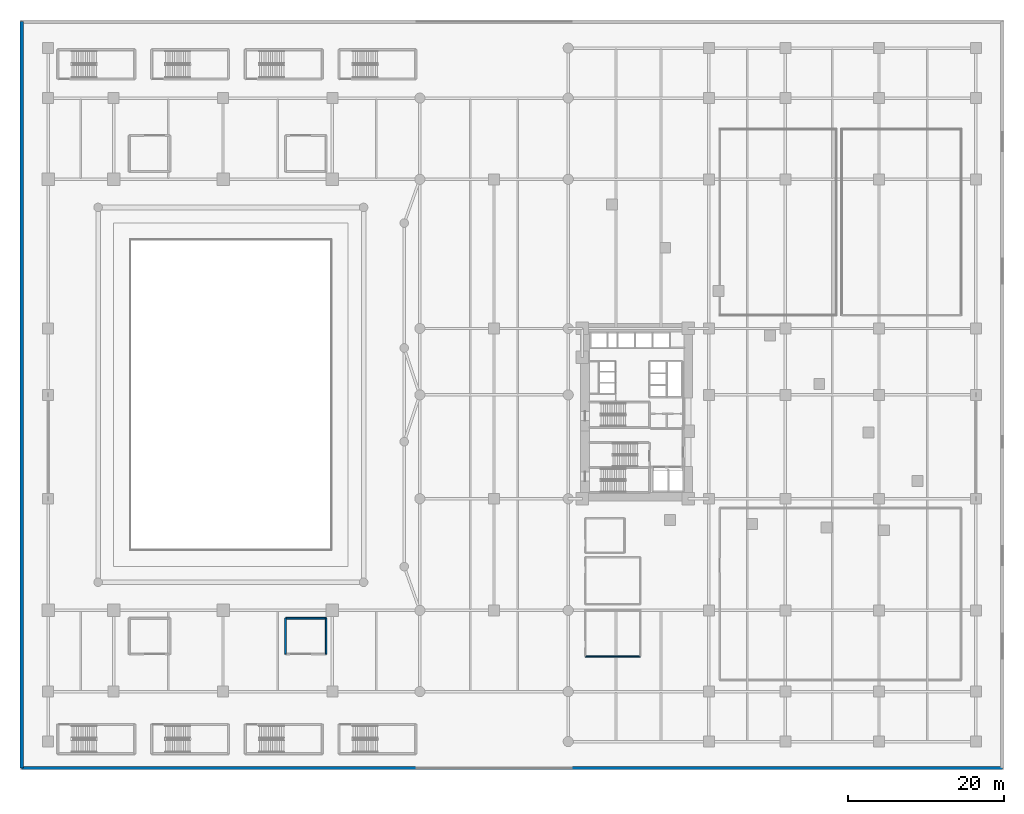
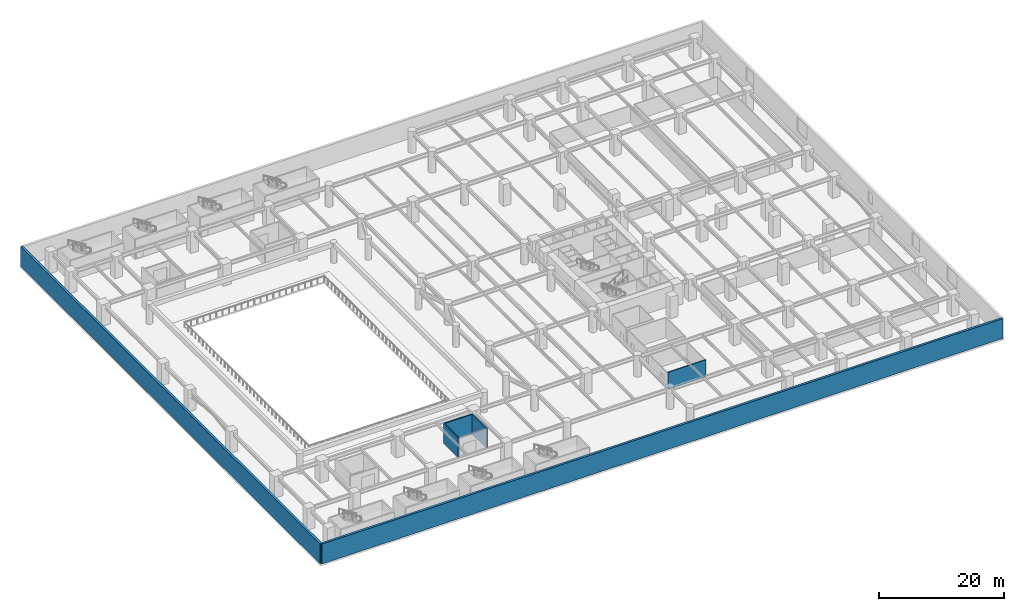
# One storey, part 7 of 25: 6 walls.
"""IFC4 building model written with IfcOpenShell, lengths in metres."""

from ifc_helpers import new_model, si_unit, direction, frame, frame_2d, origin, place, context, subcontext, project, spatial, rectangle, extrude, material, layer, layer_set, type_object, element, save


model = new_model("IFC4")

# Units and contexts
model_context = context("Model", 3, precision=1e-05, world=origin(), true_north=direction((0.0, 1.0)))
body_context = subcontext(model_context, "Body", "Model", "MODEL_VIEW")
ifc_project = project(units=[si_unit("LENGTHUNIT", "METRE"), si_unit("AREAUNIT", "SQUARE_METRE"), si_unit("VOLUMEUNIT", "CUBIC_METRE"), si_unit("PLANEANGLEUNIT", "RADIAN"), si_unit("MASSUNIT", "GRAM", prefix="KILO")], contexts=[model_context])

# Site, building, storey
site_placement = place(None, origin())
site = spatial("IfcSite", under=ifc_project, at=site_placement, CompositionType="ELEMENT")
building_placement = place(site_placement, origin())
building = spatial("IfcBuilding", under=site, at=building_placement, Name="Narakoshi Arena Tower", CompositionType="ELEMENT")
storey_placement = place(building_placement, frame((0.0, 0.0, 9.0)))
storey = spatial("IfcBuildingStorey", under=building, at=storey_placement, Name="L02", CompositionType="ELEMENT", Elevation=9.0)

# Walls
ifc_material_1 = material(Name="Concrete C40/50", Category="concrete")
ifc_layer_1 = layer(ifc_material_1, 0.219970703125)
ifc_layer_set_1 = layer_set([ifc_layer_1], Name="Concrete C40/50")
wall_type_1 = type_object("IfcWallType", Name="WL-COMP-220", PredefinedType="SOLIDWALL", material=ifc_layer_set_1)
wall_1_placement = place(storey_placement, frame((39.199951171875, 14.800048828125, 0.0), z_axis=(0.0, 0.0, 1.0), x_axis=(0.0, 1.0, 0.0)))
element("IfcWall", 1, at=wall_1_placement, inside=storey, type_object=wall_type_1, Name="L02 Vomitory 2 Wall E", PredefinedType="SOLIDWALL", context=body_context, shape_type="SweptSolid", body=[
    extrude(rectangle(XDim=4.599853515625, YDim=0.219970703125, at=frame_2d((2.2998046875, 0.0))), origin(), (0.0, 0.0, 1.0), 3.8798828125),
])
wall_2_placement = place(storey_placement, frame((39.199951171875, 19.39990234375, 0.0), z_axis=(0.0, 0.0, 1.0), x_axis=(-1.0, 0.0, 0.0)))
element("IfcWall", 2, at=wall_2_placement, inside=storey, type_object=wall_type_1, Name="L02 Vomitory 2 Wall N", PredefinedType="SOLIDWALL", context=body_context, shape_type="SweptSolid", body=[
    extrude(rectangle(XDim=5.199951171875, YDim=0.219970703125, at=frame_2d((2.60009765625, 0.0))), origin(), (0.0, 0.0, 1.0), 3.8798828125),
])
wall_3_placement = place(storey_placement, frame((34.0, 19.39990234375, 0.0), z_axis=(0.0, 0.0, 1.0), x_axis=(0.0, -1.0, 0.0)))
element("IfcWall", 3, at=wall_3_placement, inside=storey, type_object=wall_type_1, Name="L02 Vomitory 2 Wall W", PredefinedType="SOLIDWALL", context=body_context, shape_type="SweptSolid", body=[
    extrude(rectangle(XDim=4.599853515625, YDim=0.219970703125, at=frame_2d((2.2998046875, 0.0))), origin(), (0.0, 0.0, 1.0), 3.8798828125),
])
ifc_material_2 = material(Name="Precast concrete C45/55", Category="concrete")
ifc_layer_2 = layer(ifc_material_2, 0.419921875)
ifc_layer_set_2 = layer_set([ifc_layer_2], Name="Precast concrete C45/55")
wall_type_2 = type_object("IfcWallType", Name="WL-POD-420", PredefinedType="SOLIDWALL", material=ifc_layer_set_2)
wall_4_placement = place(storey_placement, frame((0.2099609375, 0.2099609375, 0.0), z_axis=(0.0, 0.0, 1.0), x_axis=(1.0, 0.0, 0.0)))
element("IfcWall", 4, at=wall_4_placement, inside=storey, type_object=wall_type_2, Name="L02 Podium Precast Facade Wall S", PredefinedType="SOLIDWALL", context=body_context, shape_type="SweptSolid", body=[
    extrude(rectangle(XDim=125.580078125, YDim=0.419921875, at=frame_2d((62.7900390625, 0.0))), origin(), (0.0, 0.0, 1.0), 3.8798828125),
])
wall_5_placement = place(storey_placement, frame((0.2099609375, 95.7900390625, 0.0), z_axis=(0.0, 0.0, 1.0), x_axis=(0.0, -1.0, 0.0)))
element("IfcWall", 5, at=wall_5_placement, inside=storey, type_object=wall_type_2, Name="L02 Podium Precast Facade Wall W", PredefinedType="SOLIDWALL", context=body_context, shape_type="SweptSolid", body=[
    extrude(rectangle(XDim=95.580078125, YDim=0.419921875, at=frame_2d((47.7900390625, 0.0))), origin(), (0.0, 0.0, 1.0), 3.8798828125),
])
ifc_material_3 = material(Name="Moisture-resistant cement-board partition")
ifc_layer_3 = layer(ifc_material_3, 0.14501953125)
ifc_layer_set_3 = layer_set([ifc_layer_3], Name="Moisture-resistant cement-board partition")
wall_type_3 = type_object("IfcWallType", Name="WL-WET-145", PredefinedType="PARTITIONING", material=ifc_layer_set_3)
wall_6_placement = place(storey_placement, frame((72.39990234375, 14.5, 0.0), z_axis=(0.0, 0.0, 1.0), x_axis=(1.0, 0.0, 0.0)))
element("IfcWall", 6, at=wall_6_placement, inside=storey, type_object=wall_type_3, Name="L02 Spectator Male Restroom WC Wall S", PredefinedType="PARTITIONING", context=body_context, shape_type="SweptSolid", body=[
    extrude(rectangle(XDim=7.0, YDim=0.14501953125, at=frame_2d((3.5, 0.0))), origin(), (0.0, 0.0, 1.0), 3.364990234375),
])

save(model, "model.ifc")
